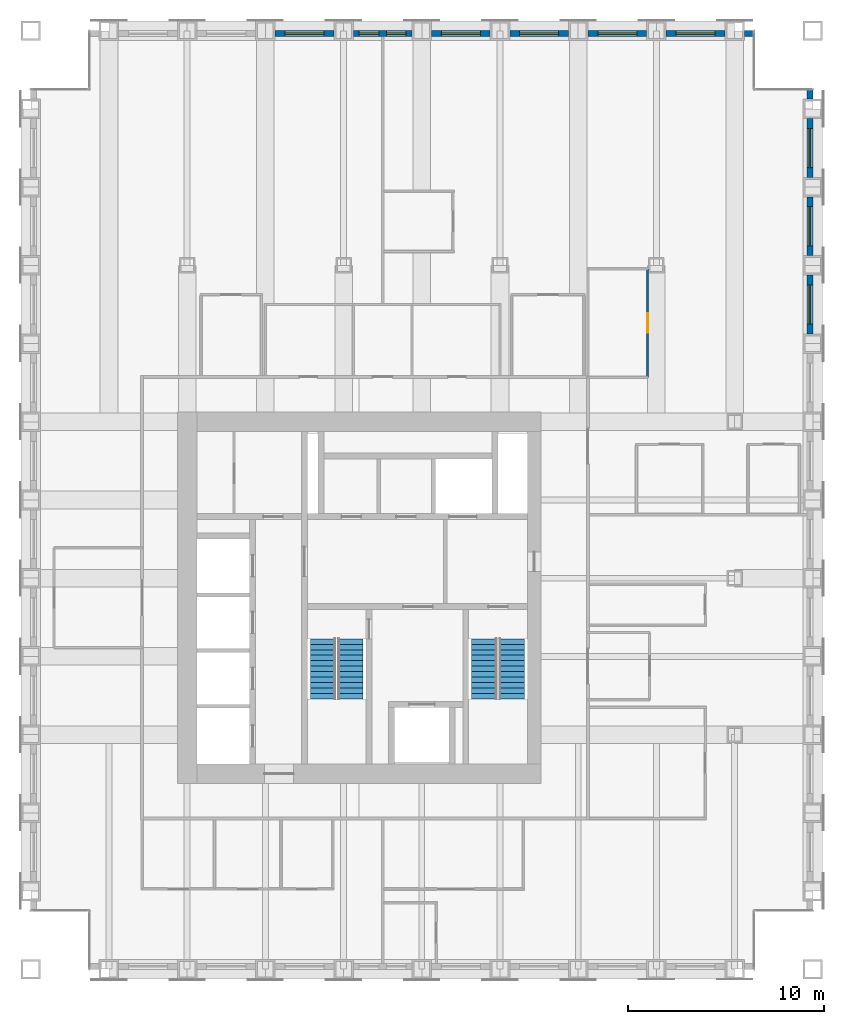
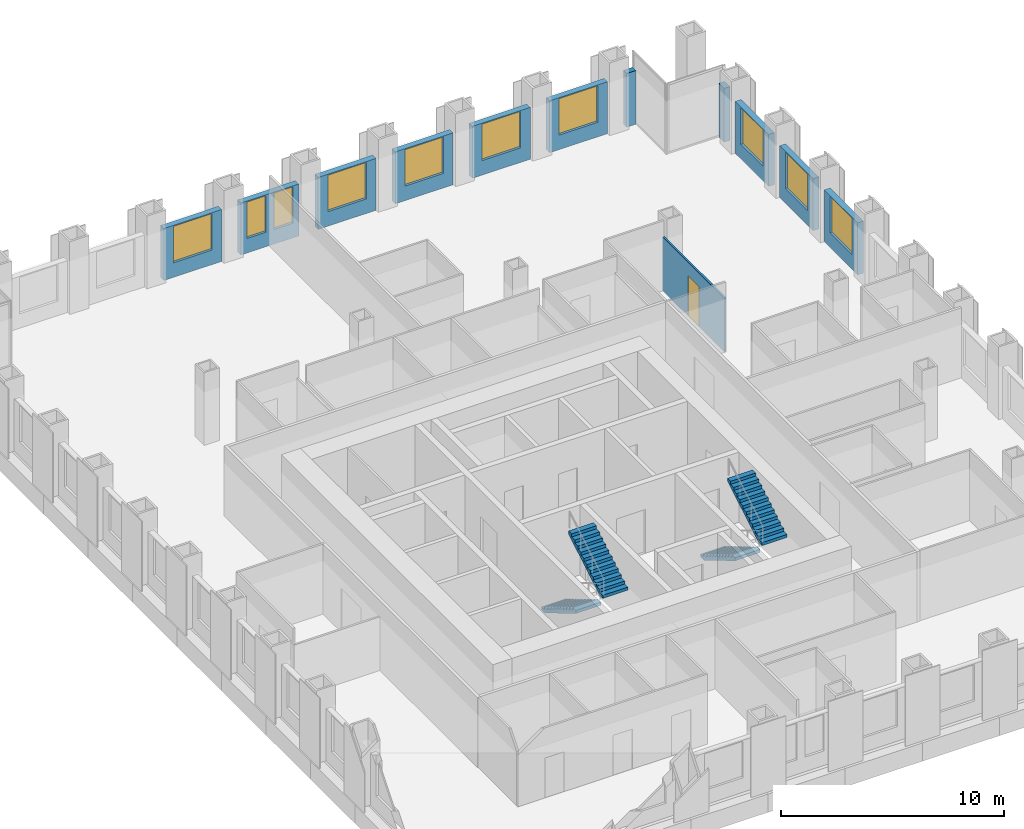
# One storey, part 12 of 14: 12 walls, 10 windows, 4 stair flights, 1 door, 11 openings, 2 elements without a shape of their own.
"""IFC4 building model written with IfcOpenShell, lengths in metres."""

from ifc_helpers import new_model, si_unit, direction, frame, frame_2d, origin, place, context, subcontext, project, spatial, polyline, rectangle, outline, extrude, material, layer, layer_set, type_object, element, fill, aggregate, save


model = new_model("IFC4")

# Units and contexts
model_context = context("Model", 3, precision=1e-05, world=origin(), true_north=direction((0.0, 1.0)))
body_context = subcontext(model_context, "Body", "Model", "MODEL_VIEW")
ifc_project = project(units=[si_unit("LENGTHUNIT", "METRE"), si_unit("AREAUNIT", "SQUARE_METRE"), si_unit("VOLUMEUNIT", "CUBIC_METRE"), si_unit("PLANEANGLEUNIT", "RADIAN"), si_unit("MASSUNIT", "GRAM", prefix="KILO")], contexts=[model_context])

# Site, building, storey
site_placement = place(None, origin())
site = spatial("IfcSite", under=ifc_project, at=site_placement, CompositionType="ELEMENT")
building_placement = place(site_placement, origin())
building = spatial("IfcBuilding", under=site, at=building_placement, Name="Rimbunsela Tower", CompositionType="ELEMENT")
storey_placement = place(building_placement, frame((0.0, 0.0, 226.199951171875)))
storey = spatial("IfcBuildingStorey", under=building, at=storey_placement, Name="L54", CompositionType="ELEMENT", Elevation=226.199951171875)

# Wall, opening, door
ifc_material_1 = material(Name="Gypsum board on steel studs", Category="steel")
ifc_layer_1 = layer(ifc_material_1, 0.10009765625)
ifc_layer_set_1 = layer_set([ifc_layer_1], Name="Office partition 100")
wall_type_1 = type_object("IfcWallType", Name="Office partition 100", PredefinedType="PARTITIONING", material=ifc_layer_set_1)
wall_1_placement = place(storey_placement, frame((41.550048828125, 38.27587890625, 0.0), z_axis=(0.0, 0.0, 1.0), x_axis=(0.0, 1.0, 0.0)))
wall_1 = element("IfcWall", 1, at=wall_1_placement, inside=storey, type_object=wall_type_1, Name="Office partition", PredefinedType="PARTITIONING", context=body_context, shape_type="SweptSolid", body=[
    extrude(rectangle(XDim=5.550048828125, YDim=0.10009765625, at=frame_2d((2.77490234375, 0.0))), origin(), (0.0, 0.0, 1.0), 2.949951171875),
])
opening_1_placement = place(wall_1_placement, frame((2.27490234375, 0.0, 0.0)))
opening_1 = element("IfcOpeningElement", 2, at=opening_1_placement, cuts=wall_1, Name="Opening D17", PredefinedType="OPENING", context=body_context, shape_type="SweptSolid", body=[
    extrude(rectangle(XDim=1.0, YDim=2.199951171875, at=frame_2d((0.5, 1.10009765625))), frame((0.0, 0.06005859375, 0.0), z_axis=(0.0, -1.0, 0.0), x_axis=(1.0, 0.0, 0.0)), (0.0, 0.0, 1.0), 0.1201171875),
])
ifc_material_2 = material(Name="Glazed aluminium door", Category="aluminium")
door_type = type_object("IfcDoorType", Name="Meeting room door 1000 glazed", OperationType="SINGLE_SWING_RIGHT", PredefinedType="DOOR", material=ifc_material_2)
door_placement = place(opening_1_placement, origin())
door = element("IfcDoor", 3, at=door_placement, inside=storey, type_object=door_type, Name="Reception door", OperationType="SINGLE_SWING_RIGHT", OverallHeight=2.199951171875, OverallWidth=1.0, PredefinedType="DOOR", context=body_context, shape_type="SweptSolid", body=[
    extrude(rectangle(XDim=1.0, YDim=2.199951171875, at=frame_2d((0.5, 1.10009765625))), frame((0.0, 0.02490234375, 0.0), z_axis=(0.0, -1.0, 0.0), x_axis=(1.0, 0.0, 0.0)), (0.0, 0.0, 1.0), 0.050048828125),
])
fill(opening_1, door)

# Wall, opening, window
ifc_material_3 = material(Name="Precast concrete fc' 35 MPa", Category="concrete")
ifc_layer_2 = layer(ifc_material_3, 0.300048828125)
ifc_layer_set_2 = layer_set([ifc_layer_2], Name="Precast concrete fc' 35 MPa")
wall_type_2 = type_object("IfcWallType", Name="Precast facade panel 300", PredefinedType="ELEMENTEDWALL", material=ifc_layer_set_2)
wall_2_placement = place(storey_placement, frame((49.85009765625, 40.5, 0.0), z_axis=(0.0, 0.0, 1.0), x_axis=(0.0, 1.0, 0.0)))
wall_2 = element("IfcWall", 4, at=wall_2_placement, inside=storey, type_object=wall_type_2, Name="Facade panel E L54", PredefinedType="ELEMENTEDWALL", context=body_context, shape_type="SweptSolid", body=[
    extrude(rectangle(XDim=3.0, YDim=0.300048828125, at=frame_2d((1.5, 0.0))), origin(), (0.0, 0.0, 1.0), 2.85009765625),
])
opening_2_placement = place(wall_2_placement, frame((0.5, 0.0, 0.800048828125)))
opening_2 = element("IfcOpeningElement", 5, at=opening_2_placement, cuts=wall_2, Name="Opening W1", PredefinedType="OPENING", context=body_context, shape_type="SweptSolid", body=[
    extrude(rectangle(XDim=2.0, YDim=2.0, at=frame_2d((1.0, 1.0))), frame((0.0, 0.159912109375, 0.0), z_axis=(0.0, -1.0, 0.0), x_axis=(1.0, 0.0, 0.0)), (0.0, 0.0, 1.0), 0.320068359375),
])
ifc_material_4 = material(Name="Clear glass in aluminium frame", Category="aluminium")
window_type_1 = type_object("IfcWindowType", Name="Window W1 2000x2000", PartitioningType="DOUBLE_PANEL_VERTICAL", PredefinedType="WINDOW", material=ifc_material_4)
window_1_placement = place(opening_2_placement, origin())
window_1 = element("IfcWindow", 6, at=window_1_placement, inside=storey, type_object=window_type_1, Name="Window L54", OverallHeight=2.0, OverallWidth=2.0, PartitioningType="SINGLE_PANEL", PredefinedType="WINDOW", context=body_context, shape_type="SweptSolid", body=[
    extrude(rectangle(XDim=2.0, YDim=2.0, at=frame_2d((1.0, 1.0))), frame((0.0, 0.030029296875, 0.0), z_axis=(0.0, -1.0, 0.0), x_axis=(1.0, 0.0, 0.0)), (0.0, 0.0, 1.0), 0.06005859375),
])
fill(opening_2, window_1)

wall_3_placement = place(storey_placement, frame((49.85009765625, 44.5, 0.0), z_axis=(0.0, 0.0, 1.0), x_axis=(0.0, 1.0, 0.0)))
wall_3 = element("IfcWall", 7, at=wall_3_placement, inside=storey, type_object=wall_type_2, Name="Facade panel E L54", PredefinedType="ELEMENTEDWALL", context=body_context, shape_type="SweptSolid", body=[
    extrude(rectangle(XDim=3.0, YDim=0.300048828125, at=frame_2d((1.5, 0.0))), origin(), (0.0, 0.0, 1.0), 2.85009765625),
])
opening_3_placement = place(wall_3_placement, frame((0.5, 0.0, 0.800048828125)))
opening_3 = element("IfcOpeningElement", 8, at=opening_3_placement, cuts=wall_3, Name="Opening W1", PredefinedType="OPENING", context=body_context, shape_type="SweptSolid", body=[
    extrude(rectangle(XDim=2.0, YDim=2.0, at=frame_2d((1.0, 1.0))), frame((0.0, 0.159912109375, 0.0), z_axis=(0.0, -1.0, 0.0), x_axis=(1.0, 0.0, 0.0)), (0.0, 0.0, 1.0), 0.320068359375),
])
window_2_placement = place(opening_3_placement, origin())
window_2 = element("IfcWindow", 9, at=window_2_placement, inside=storey, type_object=window_type_1, Name="Window L54", OverallHeight=2.0, OverallWidth=2.0, PartitioningType="SINGLE_PANEL", PredefinedType="WINDOW", context=body_context, shape_type="SweptSolid", body=[
    extrude(rectangle(XDim=2.0, YDim=2.0, at=frame_2d((1.0, 1.0))), frame((0.0, 0.030029296875, 0.0), z_axis=(0.0, -1.0, 0.0), x_axis=(1.0, 0.0, 0.0)), (0.0, 0.0, 1.0), 0.06005859375),
])
fill(opening_3, window_2)

wall_4_placement = place(storey_placement, frame((49.85009765625, 48.5, 0.0), z_axis=(0.0, 0.0, 1.0), x_axis=(0.0, 1.0, 0.0)))
wall_4 = element("IfcWall", 10, at=wall_4_placement, inside=storey, type_object=wall_type_2, Name="Facade panel E L54", PredefinedType="ELEMENTEDWALL", context=body_context, shape_type="SweptSolid", body=[
    extrude(rectangle(XDim=3.0, YDim=0.300048828125, at=frame_2d((1.5, 0.0))), origin(), (0.0, 0.0, 1.0), 2.85009765625),
])
opening_4_placement = place(wall_4_placement, frame((0.5, 0.0, 0.800048828125)))
opening_4 = element("IfcOpeningElement", 11, at=opening_4_placement, cuts=wall_4, Name="Opening W1", PredefinedType="OPENING", context=body_context, shape_type="SweptSolid", body=[
    extrude(rectangle(XDim=2.0, YDim=2.0, at=frame_2d((1.0, 1.0))), frame((0.0, 0.159912109375, 0.0), z_axis=(0.0, -1.0, 0.0), x_axis=(1.0, 0.0, 0.0)), (0.0, 0.0, 1.0), 0.320068359375),
])
window_3_placement = place(opening_4_placement, origin())
window_3 = element("IfcWindow", 12, at=window_3_placement, inside=storey, type_object=window_type_1, Name="Window L54", OverallHeight=2.0, OverallWidth=2.0, PartitioningType="SINGLE_PANEL", PredefinedType="WINDOW", context=body_context, shape_type="SweptSolid", body=[
    extrude(rectangle(XDim=2.0, YDim=2.0, at=frame_2d((1.0, 1.0))), frame((0.0, 0.030029296875, 0.0), z_axis=(0.0, -1.0, 0.0), x_axis=(1.0, 0.0, 0.0)), (0.0, 0.0, 1.0), 0.06005859375),
])
fill(opening_4, window_3)

# Wall
wall_5_placement = place(storey_placement, frame((49.85009765625, 52.5, 0.0), z_axis=(0.0, 0.0, 1.0), x_axis=(0.0, 1.0, 0.0)))
element("IfcWall", 13, at=wall_5_placement, inside=storey, type_object=wall_type_2, Name="Facade panel E L54", PredefinedType="ELEMENTEDWALL", context=body_context, shape_type="SweptSolid", body=[
    extrude(rectangle(XDim=0.469970703125, YDim=0.300048828125, at=frame_2d((0.23486328125, 0.0))), origin(), (0.0, 0.0, 1.0), 2.949951171875),
])

# Wall, opening, window
wall_6_placement = place(storey_placement, frame((25.5, 55.85009765625, 0.0), z_axis=(0.0, 0.0, 1.0), x_axis=(-1.0, 0.0, 0.0)))
wall_6 = element("IfcWall", 14, at=wall_6_placement, inside=storey, type_object=wall_type_2, Name="Facade panel N L54", PredefinedType="ELEMENTEDWALL", context=body_context, shape_type="SweptSolid", body=[
    extrude(rectangle(XDim=3.0, YDim=0.300048828125, at=frame_2d((1.5, 0.0))), origin(), (0.0, 0.0, 1.0), 2.85009765625),
])
opening_5_placement = place(wall_6_placement, frame((0.5, 0.0, 0.800048828125)))
opening_5 = element("IfcOpeningElement", 15, at=opening_5_placement, cuts=wall_6, Name="Opening W1", PredefinedType="OPENING", context=body_context, shape_type="SweptSolid", body=[
    extrude(rectangle(XDim=2.0, YDim=2.0, at=frame_2d((1.0, 1.0))), frame((0.0, 0.159912109375, 0.0), z_axis=(0.0, -1.0, 0.0), x_axis=(1.0, 0.0, 0.0)), (0.0, 0.0, 1.0), 0.320068359375),
])
window_4_placement = place(opening_5_placement, origin())
window_4 = element("IfcWindow", 16, at=window_4_placement, inside=storey, type_object=window_type_1, Name="Window L54", OverallHeight=2.0, OverallWidth=2.0, PartitioningType="SINGLE_PANEL", PredefinedType="WINDOW", context=body_context, shape_type="SweptSolid", body=[
    extrude(rectangle(XDim=2.0, YDim=2.0, at=frame_2d((1.0, 1.0))), frame((0.0, 0.030029296875, 0.0), z_axis=(0.0, -1.0, 0.0), x_axis=(1.0, 0.0, 0.0)), (0.0, 0.0, 1.0), 0.06005859375),
])
fill(opening_5, window_4)

# Wall, openings, windows
wall_7_placement = place(storey_placement, frame((29.5, 55.85009765625, 0.0), z_axis=(0.0, 0.0, 1.0), x_axis=(-1.0, 0.0, 0.0)))
wall_7 = element("IfcWall", 17, at=wall_7_placement, inside=storey, type_object=wall_type_2, Name="Facade panel N L54", PredefinedType="ELEMENTEDWALL", context=body_context, shape_type="SweptSolid", body=[
    extrude(rectangle(XDim=3.0, YDim=0.300048828125, at=frame_2d((1.5, 0.0))), origin(), (0.0, 0.0, 1.0), 2.85009765625),
])
opening_6_placement = place(wall_7_placement, frame((1.699951171875, 0.0, 0.800048828125)))
opening_6 = element("IfcOpeningElement", 18, at=opening_6_placement, cuts=wall_7, Name="Opening W5", PredefinedType="OPENING", context=body_context, shape_type="SweptSolid", body=[
    extrude(rectangle(XDim=1.0, YDim=2.0, at=frame_2d((0.5, 1.0))), frame((0.0, 0.159912109375, 0.0), z_axis=(0.0, -1.0, 0.0), x_axis=(1.0, 0.0, 0.0)), (0.0, 0.0, 1.0), 0.320068359375),
])
opening_7_placement = place(wall_7_placement, frame((0.300048828125, 0.0, 0.800048828125)))
opening_7 = element("IfcOpeningElement", 19, at=opening_7_placement, cuts=wall_7, Name="Opening W5", PredefinedType="OPENING", context=body_context, shape_type="SweptSolid", body=[
    extrude(rectangle(XDim=1.0, YDim=2.0, at=frame_2d((0.5, 1.0))), frame((0.0, 0.159912109375, 0.0), z_axis=(0.0, -1.0, 0.0), x_axis=(1.0, 0.0, 0.0)), (0.0, 0.0, 1.0), 0.320068359375),
])
ifc_material_5 = material(Name="Clear glass in aluminium frame", Category="aluminium")
window_type_2 = type_object("IfcWindowType", Name="Window W5 1000x2000", PartitioningType="SINGLE_PANEL", PredefinedType="WINDOW", material=ifc_material_5)
window_5_placement = place(opening_6_placement, origin())
window_5 = element("IfcWindow", 20, at=window_5_placement, inside=storey, type_object=window_type_2, Name="Window L54", OverallHeight=2.0, OverallWidth=1.0, PartitioningType="SINGLE_PANEL", PredefinedType="WINDOW", context=body_context, shape_type="SweptSolid", body=[
    extrude(rectangle(XDim=1.0, YDim=2.0, at=frame_2d((0.5, 1.0))), frame((0.0, 0.030029296875, 0.0), z_axis=(0.0, -1.0, 0.0), x_axis=(1.0, 0.0, 0.0)), (0.0, 0.0, 1.0), 0.06005859375),
])
fill(opening_6, window_5)
window_6_placement = place(opening_7_placement, origin())
window_6 = element("IfcWindow", 21, at=window_6_placement, inside=storey, type_object=window_type_2, Name="Window L54", OverallHeight=2.0, OverallWidth=1.0, PartitioningType="SINGLE_PANEL", PredefinedType="WINDOW", context=body_context, shape_type="SweptSolid", body=[
    extrude(rectangle(XDim=1.0, YDim=2.0, at=frame_2d((0.5, 1.0))), frame((0.0, 0.030029296875, 0.0), z_axis=(0.0, -1.0, 0.0), x_axis=(1.0, 0.0, 0.0)), (0.0, 0.0, 1.0), 0.06005859375),
])
fill(opening_7, window_6)

# Wall, opening, window
wall_8_placement = place(storey_placement, frame((33.5, 55.85009765625, 0.0), z_axis=(0.0, 0.0, 1.0), x_axis=(-1.0, 0.0, 0.0)))
wall_8 = element("IfcWall", 22, at=wall_8_placement, inside=storey, type_object=wall_type_2, Name="Facade panel N L54", PredefinedType="ELEMENTEDWALL", context=body_context, shape_type="SweptSolid", body=[
    extrude(rectangle(XDim=3.0, YDim=0.300048828125, at=frame_2d((1.5, 0.0))), origin(), (0.0, 0.0, 1.0), 2.85009765625),
])
opening_8_placement = place(wall_8_placement, frame((0.5, 0.0, 0.800048828125)))
opening_8 = element("IfcOpeningElement", 23, at=opening_8_placement, cuts=wall_8, Name="Opening W1", PredefinedType="OPENING", context=body_context, shape_type="SweptSolid", body=[
    extrude(rectangle(XDim=2.0, YDim=2.0, at=frame_2d((1.0, 1.0))), frame((0.0, 0.159912109375, 0.0), z_axis=(0.0, -1.0, 0.0), x_axis=(1.0, 0.0, 0.0)), (0.0, 0.0, 1.0), 0.320068359375),
])
window_7_placement = place(opening_8_placement, origin())
window_7 = element("IfcWindow", 24, at=window_7_placement, inside=storey, type_object=window_type_1, Name="Window L54", OverallHeight=2.0, OverallWidth=2.0, PartitioningType="SINGLE_PANEL", PredefinedType="WINDOW", context=body_context, shape_type="SweptSolid", body=[
    extrude(rectangle(XDim=2.0, YDim=2.0, at=frame_2d((1.0, 1.0))), frame((0.0, 0.030029296875, 0.0), z_axis=(0.0, -1.0, 0.0), x_axis=(1.0, 0.0, 0.0)), (0.0, 0.0, 1.0), 0.06005859375),
])
fill(opening_8, window_7)

wall_9_placement = place(storey_placement, frame((37.5, 55.85009765625, 0.0), z_axis=(0.0, 0.0, 1.0), x_axis=(-1.0, 0.0, 0.0)))
wall_9 = element("IfcWall", 25, at=wall_9_placement, inside=storey, type_object=wall_type_2, Name="Facade panel N L54", PredefinedType="ELEMENTEDWALL", context=body_context, shape_type="SweptSolid", body=[
    extrude(rectangle(XDim=3.0, YDim=0.300048828125, at=frame_2d((1.5, 0.0))), origin(), (0.0, 0.0, 1.0), 2.85009765625),
])
opening_9_placement = place(wall_9_placement, frame((0.5, 0.0, 0.800048828125)))
opening_9 = element("IfcOpeningElement", 26, at=opening_9_placement, cuts=wall_9, Name="Opening W1", PredefinedType="OPENING", context=body_context, shape_type="SweptSolid", body=[
    extrude(rectangle(XDim=2.0, YDim=2.0, at=frame_2d((1.0, 1.0))), frame((0.0, 0.159912109375, 0.0), z_axis=(0.0, -1.0, 0.0), x_axis=(1.0, 0.0, 0.0)), (0.0, 0.0, 1.0), 0.320068359375),
])
window_8_placement = place(opening_9_placement, origin())
window_8 = element("IfcWindow", 27, at=window_8_placement, inside=storey, type_object=window_type_1, Name="Window L54", OverallHeight=2.0, OverallWidth=2.0, PartitioningType="SINGLE_PANEL", PredefinedType="WINDOW", context=body_context, shape_type="SweptSolid", body=[
    extrude(rectangle(XDim=2.0, YDim=2.0, at=frame_2d((1.0, 1.0))), frame((0.0, 0.030029296875, 0.0), z_axis=(0.0, -1.0, 0.0), x_axis=(1.0, 0.0, 0.0)), (0.0, 0.0, 1.0), 0.06005859375),
])
fill(opening_9, window_8)

wall_10_placement = place(storey_placement, frame((41.5, 55.85009765625, 0.0), z_axis=(0.0, 0.0, 1.0), x_axis=(-1.0, 0.0, 0.0)))
wall_10 = element("IfcWall", 28, at=wall_10_placement, inside=storey, type_object=wall_type_2, Name="Facade panel N L54", PredefinedType="ELEMENTEDWALL", context=body_context, shape_type="SweptSolid", body=[
    extrude(rectangle(XDim=3.0, YDim=0.300048828125, at=frame_2d((1.5, 0.0))), origin(), (0.0, 0.0, 1.0), 2.85009765625),
])
opening_10_placement = place(wall_10_placement, frame((0.5, 0.0, 0.800048828125)))
opening_10 = element("IfcOpeningElement", 29, at=opening_10_placement, cuts=wall_10, Name="Opening W1", PredefinedType="OPENING", context=body_context, shape_type="SweptSolid", body=[
    extrude(rectangle(XDim=2.0, YDim=2.0, at=frame_2d((1.0, 1.0))), frame((0.0, 0.159912109375, 0.0), z_axis=(0.0, -1.0, 0.0), x_axis=(1.0, 0.0, 0.0)), (0.0, 0.0, 1.0), 0.320068359375),
])
window_9_placement = place(opening_10_placement, origin())
window_9 = element("IfcWindow", 30, at=window_9_placement, inside=storey, type_object=window_type_1, Name="Window L54", OverallHeight=2.0, OverallWidth=2.0, PartitioningType="SINGLE_PANEL", PredefinedType="WINDOW", context=body_context, shape_type="SweptSolid", body=[
    extrude(rectangle(XDim=2.0, YDim=2.0, at=frame_2d((1.0, 1.0))), frame((0.0, 0.030029296875, 0.0), z_axis=(0.0, -1.0, 0.0), x_axis=(1.0, 0.0, 0.0)), (0.0, 0.0, 1.0), 0.06005859375),
])
fill(opening_10, window_9)

wall_11_placement = place(storey_placement, frame((45.5, 55.85009765625, 0.0), z_axis=(0.0, 0.0, 1.0), x_axis=(-1.0, 0.0, 0.0)))
wall_11 = element("IfcWall", 31, at=wall_11_placement, inside=storey, type_object=wall_type_2, Name="Facade panel N L54", PredefinedType="ELEMENTEDWALL", context=body_context, shape_type="SweptSolid", body=[
    extrude(rectangle(XDim=3.0, YDim=0.300048828125, at=frame_2d((1.5, 0.0))), origin(), (0.0, 0.0, 1.0), 2.85009765625),
])
opening_11_placement = place(wall_11_placement, frame((0.5, 0.0, 0.800048828125)))
opening_11 = element("IfcOpeningElement", 32, at=opening_11_placement, cuts=wall_11, Name="Opening W1", PredefinedType="OPENING", context=body_context, shape_type="SweptSolid", body=[
    extrude(rectangle(XDim=2.0, YDim=2.0, at=frame_2d((1.0, 1.0))), frame((0.0, 0.159912109375, 0.0), z_axis=(0.0, -1.0, 0.0), x_axis=(1.0, 0.0, 0.0)), (0.0, 0.0, 1.0), 0.320068359375),
])
window_10_placement = place(opening_11_placement, origin())
window_10 = element("IfcWindow", 33, at=window_10_placement, inside=storey, type_object=window_type_1, Name="Window L54", OverallHeight=2.0, OverallWidth=2.0, PartitioningType="SINGLE_PANEL", PredefinedType="WINDOW", context=body_context, shape_type="SweptSolid", body=[
    extrude(rectangle(XDim=2.0, YDim=2.0, at=frame_2d((1.0, 1.0))), frame((0.0, 0.030029296875, 0.0), z_axis=(0.0, -1.0, 0.0), x_axis=(1.0, 0.0, 0.0)), (0.0, 0.0, 1.0), 0.06005859375),
])
fill(opening_11, window_10)

# Wall
wall_12_placement = place(storey_placement, frame((46.969970703125, 55.85009765625, 0.0), z_axis=(0.0, 0.0, 1.0), x_axis=(-1.0, 0.0, 0.0)))
element("IfcWall", 34, at=wall_12_placement, inside=storey, type_object=wall_type_2, Name="Facade panel N L54", PredefinedType="ELEMENTEDWALL", context=body_context, shape_type="SweptSolid", body=[
    extrude(rectangle(XDim=0.469970703125, YDim=0.300048828125, at=frame_2d((0.23486328125, 0.0))), origin(), (0.0, 0.0, 1.0), 2.949951171875),
])

# Stair, stair flights
ifc_material_6 = material(Name="Concrete fc' 35 MPa", Category="concrete")
stair_type = type_object("IfcStairType", Name="Exit stair 24 risers", PredefinedType="HALF_TURN_STAIR", material=ifc_material_6)
stair_1_placement = place(storey_placement, origin())
stair_1 = element("IfcStair", 35, at=stair_1_placement, inside=storey, type_object=stair_type, Name="Exit stair A L54", PredefinedType="HALF_TURN_STAIR")
ifc_material_7 = material(Name="Concrete fc' 35 MPa", Category="concrete")
stair_flight_type = type_object("IfcStairFlightType", Name="Stair flight 12 risers 167", PredefinedType="STRAIGHT", material=ifc_material_7)
stair_flight_1_placement = place(storey_placement, frame((24.949951171875, 24.89990234375, 0.0), z_axis=(0.0, 0.0, 1.0), x_axis=(0.0, -1.0, 0.0)))
stair_flight_1 = element("IfcStairFlight", 36, at=stair_flight_1_placement, type_object=stair_flight_type, Name="ST-A flight 1", NumberOfRisers=12, NumberOfTreads=11, PredefinedType="STRAIGHT", RiserHeight=0.166666667, TreadLength=0.28, context=body_context, shape_type="SweptSolid", body=[
    extrude(outline(polyline([(0.0, 0.0), (0.0, 0.166748046875), (0.280029296875, 0.166748046875), (0.280029296875, 0.333251953125), (0.56005859375, 0.333251953125), (0.56005859375, 0.5), (0.840087890625, 0.5), (0.840087890625, 0.666748046875), (1.1201171875, 0.666748046875), (1.1201171875, 0.833251953125), (1.39990234375, 0.833251953125), (1.39990234375, 1.0), (1.679931640625, 1.0), (1.679931640625, 1.166748046875), (1.9599609375, 1.166748046875), (1.9599609375, 1.333251953125), (2.239990234375, 1.333251953125), (2.239990234375, 1.5), (2.52001953125, 1.5), (2.52001953125, 1.666748046875), (2.800048828125, 1.666748046875), (2.800048828125, 1.833251953125), (3.080078125, 1.833251953125), (3.080078125, 2.0), (3.080078125, 1.658935546875), (0.29296875, 0.0), (0.0, 0.0)])), frame((0.0, 0.64990234375, 0.0), z_axis=(0.0, -1.0, 0.0), x_axis=(1.0, 0.0, 0.0)), (0.0, 0.0, 1.0), 1.300048828125),
])
stair_flight_2_placement = place(storey_placement, frame((26.35009765625, 21.820068359375, 2.0), z_axis=(0.0, 0.0, 1.0), x_axis=(0.0, 1.0, 0.0)))
stair_flight_2 = element("IfcStairFlight", 37, at=stair_flight_2_placement, type_object=stair_flight_type, Name="ST-A flight 2", NumberOfRisers=12, NumberOfTreads=11, PredefinedType="STRAIGHT", RiserHeight=0.166666667, TreadLength=0.28, context=body_context, shape_type="SweptSolid", body=[
    extrude(outline(polyline([(0.0, 0.0), (0.0, 0.166748046875), (0.280029296875, 0.166748046875), (0.280029296875, 0.333251953125), (0.56005859375, 0.333251953125), (0.56005859375, 0.5), (0.840087890625, 0.5), (0.840087890625, 0.666748046875), (1.1201171875, 0.666748046875), (1.1201171875, 0.833251953125), (1.39990234375, 0.833251953125), (1.39990234375, 1.0), (1.679931640625, 1.0), (1.679931640625, 1.166748046875), (1.9599609375, 1.166748046875), (1.9599609375, 1.333251953125), (2.239990234375, 1.333251953125), (2.239990234375, 1.5), (2.52001953125, 1.5), (2.52001953125, 1.666748046875), (2.800048828125, 1.666748046875), (2.800048828125, 1.833251953125), (3.080078125, 1.833251953125), (3.080078125, 2.0), (3.080078125, 1.658935546875), (0.29296875, 0.0), (0.0, 0.0)])), frame((0.0, 0.64990234375, 0.0), z_axis=(0.0, -1.0, 0.0), x_axis=(1.0, 0.0, 0.0)), (0.0, 0.0, 1.0), 1.300048828125),
])
aggregate(stair_1, [stair_flight_1, stair_flight_2])

stair_2_placement = place(storey_placement, origin())
stair_2 = element("IfcStair", 38, at=stair_2_placement, inside=storey, type_object=stair_type, Name="Exit stair B L54", PredefinedType="HALF_TURN_STAIR")
stair_flight_3_placement = place(storey_placement, frame((33.199951171875, 24.89990234375, 0.0), z_axis=(0.0, 0.0, 1.0), x_axis=(0.0, -1.0, 0.0)))
stair_flight_3 = element("IfcStairFlight", 39, at=stair_flight_3_placement, type_object=stair_flight_type, Name="ST-B flight 1", NumberOfRisers=12, NumberOfTreads=11, PredefinedType="STRAIGHT", RiserHeight=0.166666667, TreadLength=0.28, context=body_context, shape_type="SweptSolid", body=[
    extrude(outline(polyline([(0.0, 0.0), (0.0, 0.166748046875), (0.280029296875, 0.166748046875), (0.280029296875, 0.333251953125), (0.56005859375, 0.333251953125), (0.56005859375, 0.5), (0.840087890625, 0.5), (0.840087890625, 0.666748046875), (1.1201171875, 0.666748046875), (1.1201171875, 0.833251953125), (1.39990234375, 0.833251953125), (1.39990234375, 1.0), (1.679931640625, 1.0), (1.679931640625, 1.166748046875), (1.9599609375, 1.166748046875), (1.9599609375, 1.333251953125), (2.239990234375, 1.333251953125), (2.239990234375, 1.5), (2.52001953125, 1.5), (2.52001953125, 1.666748046875), (2.800048828125, 1.666748046875), (2.800048828125, 1.833251953125), (3.080078125, 1.833251953125), (3.080078125, 2.0), (3.080078125, 1.658935546875), (0.29296875, 0.0), (0.0, 0.0)])), frame((0.0, 0.64990234375, 0.0), z_axis=(0.0, -1.0, 0.0), x_axis=(1.0, 0.0, 0.0)), (0.0, 0.0, 1.0), 1.300048828125),
])
stair_flight_4_placement = place(storey_placement, frame((34.60009765625, 21.820068359375, 2.0), z_axis=(0.0, 0.0, 1.0), x_axis=(0.0, 1.0, 0.0)))
stair_flight_4 = element("IfcStairFlight", 40, at=stair_flight_4_placement, type_object=stair_flight_type, Name="ST-B flight 2", NumberOfRisers=12, NumberOfTreads=11, PredefinedType="STRAIGHT", RiserHeight=0.166666667, TreadLength=0.28, context=body_context, shape_type="SweptSolid", body=[
    extrude(outline(polyline([(0.0, 0.0), (0.0, 0.166748046875), (0.280029296875, 0.166748046875), (0.280029296875, 0.333251953125), (0.56005859375, 0.333251953125), (0.56005859375, 0.5), (0.840087890625, 0.5), (0.840087890625, 0.666748046875), (1.1201171875, 0.666748046875), (1.1201171875, 0.833251953125), (1.39990234375, 0.833251953125), (1.39990234375, 1.0), (1.679931640625, 1.0), (1.679931640625, 1.166748046875), (1.9599609375, 1.166748046875), (1.9599609375, 1.333251953125), (2.239990234375, 1.333251953125), (2.239990234375, 1.5), (2.52001953125, 1.5), (2.52001953125, 1.666748046875), (2.800048828125, 1.666748046875), (2.800048828125, 1.833251953125), (3.080078125, 1.833251953125), (3.080078125, 2.0), (3.080078125, 1.658935546875), (0.29296875, 0.0), (0.0, 0.0)])), frame((0.0, 0.64990234375, 0.0), z_axis=(0.0, -1.0, 0.0), x_axis=(1.0, 0.0, 0.0)), (0.0, 0.0, 1.0), 1.300048828125),
])
aggregate(stair_2, [stair_flight_3, stair_flight_4])

save(model, "model.ifc")
